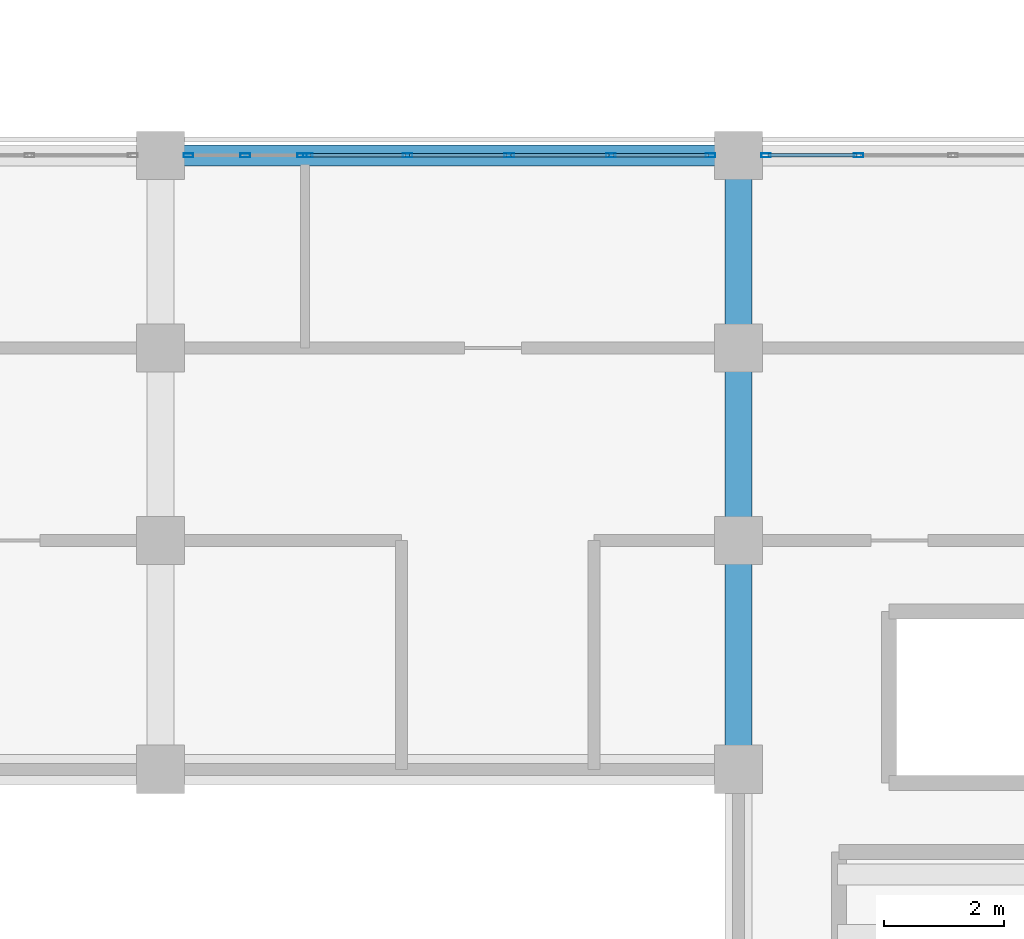
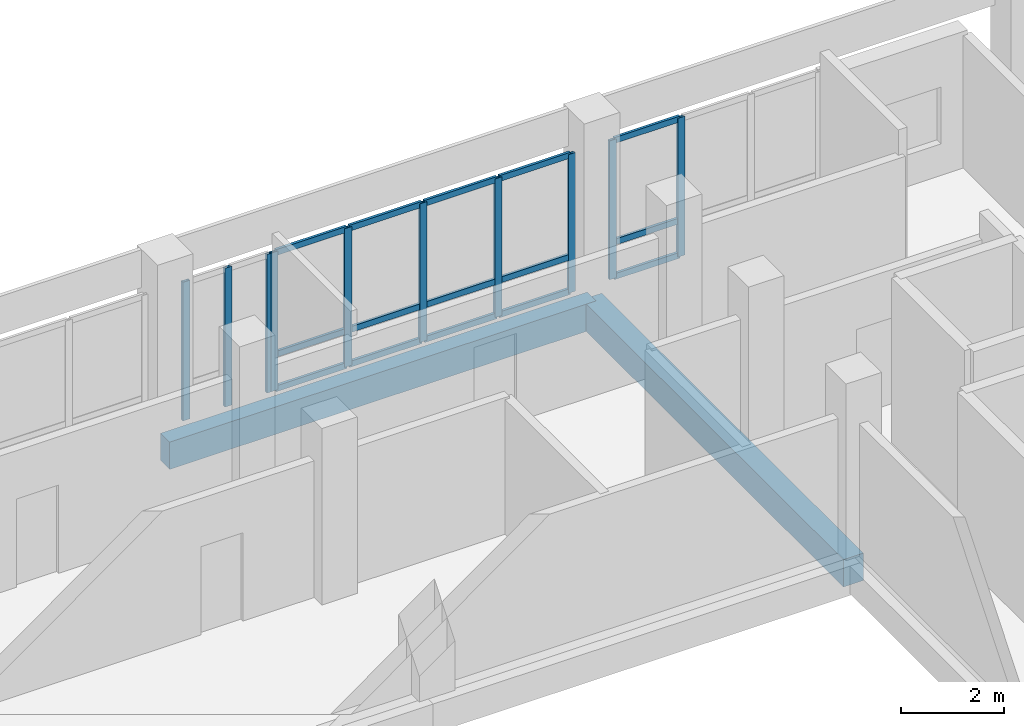
# One storey, part 89 of 170: 25 members, 2 beams, 3 elements without a shape of their own.
"""IFC4 building model written with IfcOpenShell, lengths in metres."""

from ifc_helpers import new_model, si_unit, direction, frame, origin, origin_2d, place, context, subcontext, project, spatial, rectangle, hollow_rectangle, extrude, material, material_profile, profile_set, type_object, element, aggregate, save


model = new_model("IFC4")

# Units and contexts
model_context = context("Model", 3, precision=1e-05, world=origin(), true_north=direction((0.0, 1.0)))
body_context = subcontext(model_context, "Body", "Model", "MODEL_VIEW")
ifc_project = project(units=[si_unit("LENGTHUNIT", "METRE"), si_unit("AREAUNIT", "SQUARE_METRE"), si_unit("VOLUMEUNIT", "CUBIC_METRE"), si_unit("PLANEANGLEUNIT", "RADIAN"), si_unit("MASSUNIT", "GRAM", prefix="KILO")], contexts=[model_context])

# Site, building, storey
site_placement = place(None, origin())
site = spatial("IfcSite", under=ifc_project, at=site_placement, CompositionType="ELEMENT")
building_placement = place(site_placement, origin())
building = spatial("IfcBuilding", under=site, at=building_placement, Name="Vondelvale Polytechnic", CompositionType="ELEMENT")
storey_placement = place(building_placement, frame((0.0, 0.0, 5.39990234375)))
storey = spatial("IfcBuildingStorey", under=building, at=storey_placement, Name="L01", CompositionType="ELEMENT", Elevation=5.39990234375)

# Beam
ifc_material_1 = material(Name="Concrete N40 (f'c = 40 MPa)", Category="concrete")
ifc_material_profile_1 = material_profile(ifc_material_1, rectangle(XDim=0.449951171875, YDim=0.64990234375, at=origin_2d()), Name="RC-BM-450x650")
ifc_profile_set_1 = profile_set([ifc_material_profile_1], Name="Concrete N40 (f'c = 40 MPa)")
beam_type_1 = type_object("IfcBeamType", Name="BM-RC450x650", PredefinedType="BEAM", material=ifc_profile_set_1)
beam_1_placement = place(storey_placement, frame((153.60009765625, 20.39990234375, -0.60498046875), z_axis=(0.0, 1.0, 0.0), x_axis=(-1.0, 0.0, 0.0)))
element("IfcBeam", 1, at=beam_1_placement, inside=storey, type_object=beam_type_1, Name="L01 B B-04", PredefinedType="BEAM", context=body_context, shape_type="SweptSolid", body=[
    extrude(rectangle(XDim=0.449951171875, YDim=0.64990234375, at=origin_2d()), origin(), (0.0, 0.0, 1.0), 10.2001953125),
])

# Curtain wall, members
ifc_material_2 = material(Name="Anodised extruded aluminium 6063-T6", Category="aluminium")
curtain_wall_type = type_object("IfcCurtainWallType", Name="CW-STUDIO-NORTH", PredefinedType="NOTDEFINED", material=ifc_material_2)
curtain_wall_1_placement = place(storey_placement, origin())
curtain_wall_1 = element("IfcCurtainWall", 2, at=curtain_wall_1_placement, inside=storey, type_object=curtain_wall_type, Name="L01 architectural curtain wall CW-01-059", PredefinedType="NOTDEFINED")
ifc_material_profile_2 = material_profile(ifc_material_2, hollow_rectangle(XDim=0.06494140625, YDim=0.159912109375, WallThickness=0.0048828125, at=origin_2d()), Name="CW-MUL-160x65")
ifc_profile_set_2 = profile_set([ifc_material_profile_2], Name="Anodised extruded aluminium 6063-T6")
member_type_1 = type_object("IfcMemberType", Name="CW-MUL-65x160", PredefinedType="MULLION", material=ifc_profile_set_2)
member_1_placement = place(storey_placement, frame((144.46240234375, 30.60009765625, 0.0), z_axis=(0.0, 0.0, 1.0), x_axis=(0.0, 1.0, 0.0)))
member_1 = element("IfcMember", 3, at=member_1_placement, type_object=member_type_1, Name="CW-01-059 mullion 1", PredefinedType="MULLION", context=body_context, shape_type="SweptSolid", body=[
    extrude(hollow_rectangle(XDim=0.06494140625, YDim=0.159912109375, WallThickness=0.0048828125, at=origin_2d()), origin(), (0.0, 0.0, 1.0), 3.300048828125),
])
member_2_placement = place(storey_placement, frame((145.407470703125, 30.60009765625, 0.0), z_axis=(0.0, 0.0, 1.0), x_axis=(0.0, 1.0, 0.0)))
member_2 = element("IfcMember", 4, at=member_2_placement, type_object=member_type_1, Name="CW-01-059 mullion 2", PredefinedType="MULLION", context=body_context, shape_type="SweptSolid", body=[
    extrude(hollow_rectangle(XDim=0.06494140625, YDim=0.159912109375, WallThickness=0.0048828125, at=origin_2d()), origin(), (0.0, 0.0, 1.0), 3.300048828125),
])
member_3_placement = place(storey_placement, frame((146.3525390625, 30.60009765625, 0.0), z_axis=(0.0, 0.0, 1.0), x_axis=(0.0, 1.0, 0.0)))
member_3 = element("IfcMember", 5, at=member_3_placement, type_object=member_type_1, Name="CW-01-059 mullion 3", PredefinedType="MULLION", context=body_context, shape_type="SweptSolid", body=[
    extrude(hollow_rectangle(XDim=0.06494140625, YDim=0.159912109375, WallThickness=0.0048828125, at=origin_2d()), origin(), (0.0, 0.0, 1.0), 3.300048828125),
])
aggregate(curtain_wall_1, [member_1, member_2, member_3])

curtain_wall_2_placement = place(storey_placement, origin())
curtain_wall_2 = element("IfcCurtainWall", 6, at=curtain_wall_2_placement, inside=storey, type_object=curtain_wall_type, Name="L01 architectural curtain wall CW-01-060", PredefinedType="NOTDEFINED")
member_4_placement = place(storey_placement, frame((146.447509765625, 30.60009765625, 0.0), z_axis=(0.0, 0.0, 1.0), x_axis=(0.0, 1.0, 0.0)))
member_4 = element("IfcMember", 7, at=member_4_placement, type_object=member_type_1, Name="CW-01-060 mullion 1", PredefinedType="MULLION", context=body_context, shape_type="SweptSolid", body=[
    extrude(hollow_rectangle(XDim=0.06494140625, YDim=0.159912109375, WallThickness=0.0048828125, at=origin_2d()), origin(), (0.0, 0.0, 1.0), 3.300048828125),
])
member_5_placement = place(storey_placement, frame((148.103759765625, 30.60009765625, 0.0), z_axis=(0.0, 0.0, 1.0), x_axis=(0.0, 1.0, 0.0)))
member_5 = element("IfcMember", 8, at=member_5_placement, type_object=member_type_1, Name="CW-01-060 mullion 2", PredefinedType="MULLION", context=body_context, shape_type="SweptSolid", body=[
    extrude(hollow_rectangle(XDim=0.06494140625, YDim=0.159912109375, WallThickness=0.0048828125, at=origin_2d()), origin(), (0.0, 0.0, 1.0), 3.300048828125),
])
member_6_placement = place(storey_placement, frame((149.79248046875, 30.60009765625, 0.0), z_axis=(0.0, 0.0, 1.0), x_axis=(0.0, 1.0, 0.0)))
member_6 = element("IfcMember", 9, at=member_6_placement, type_object=member_type_1, Name="CW-01-060 mullion 3", PredefinedType="MULLION", context=body_context, shape_type="SweptSolid", body=[
    extrude(hollow_rectangle(XDim=0.06494140625, YDim=0.159912109375, WallThickness=0.0048828125, at=origin_2d()), origin(), (0.0, 0.0, 1.0), 3.300048828125),
])
member_7_placement = place(storey_placement, frame((151.481201171875, 30.60009765625, 0.0), z_axis=(0.0, 0.0, 1.0), x_axis=(0.0, 1.0, 0.0)))
member_7 = element("IfcMember", 10, at=member_7_placement, type_object=member_type_1, Name="CW-01-060 mullion 4", PredefinedType="MULLION", context=body_context, shape_type="SweptSolid", body=[
    extrude(hollow_rectangle(XDim=0.06494140625, YDim=0.159912109375, WallThickness=0.0048828125, at=origin_2d()), origin(), (0.0, 0.0, 1.0), 3.300048828125),
])
member_8_placement = place(storey_placement, frame((153.137451171875, 30.60009765625, 0.0), z_axis=(0.0, 0.0, 1.0), x_axis=(0.0, 1.0, 0.0)))
member_8 = element("IfcMember", 11, at=member_8_placement, type_object=member_type_1, Name="CW-01-060 mullion 5", PredefinedType="MULLION", context=body_context, shape_type="SweptSolid", body=[
    extrude(hollow_rectangle(XDim=0.06494140625, YDim=0.159912109375, WallThickness=0.0048828125, at=origin_2d()), origin(), (0.0, 0.0, 1.0), 3.300048828125),
])

curtain_wall_3_placement = place(storey_placement, origin())
curtain_wall_3 = element("IfcCurtainWall", 12, at=curtain_wall_3_placement, inside=storey, type_object=curtain_wall_type, Name="L01 architectural curtain wall CW-01-061", PredefinedType="NOTDEFINED")
member_9_placement = place(storey_placement, frame((154.0625, 30.60009765625, 0.0), z_axis=(0.0, 0.0, 1.0), x_axis=(0.0, 1.0, 0.0)))
member_9 = element("IfcMember", 13, at=member_9_placement, type_object=member_type_1, Name="CW-01-061 mullion 1", PredefinedType="MULLION", context=body_context, shape_type="SweptSolid", body=[
    extrude(hollow_rectangle(XDim=0.06494140625, YDim=0.159912109375, WallThickness=0.0048828125, at=origin_2d()), origin(), (0.0, 0.0, 1.0), 3.300048828125),
])
member_10_placement = place(storey_placement, frame((155.598388671875, 30.60009765625, 0.0), z_axis=(0.0, 0.0, 1.0), x_axis=(0.0, 1.0, 0.0)))
member_10 = element("IfcMember", 14, at=member_10_placement, type_object=member_type_1, Name="CW-01-061 mullion 2", PredefinedType="MULLION", context=body_context, shape_type="SweptSolid", body=[
    extrude(hollow_rectangle(XDim=0.06494140625, YDim=0.159912109375, WallThickness=0.0048828125, at=origin_2d()), origin(), (0.0, 0.0, 1.0), 3.300048828125),
])

# Member
ifc_material_profile_3 = material_profile(ifc_material_2, hollow_rectangle(XDim=0.06005859375, YDim=0.139892578125, WallThickness=0.00341796875, at=origin_2d()), Name="CW-TRN-140x60")
ifc_profile_set_3 = profile_set([ifc_material_profile_3], Name="Anodised extruded aluminium 6063-T6")
member_type_2 = type_object("IfcMemberType", Name="CW-TRN-60x140", PredefinedType="USERDEFINED", material=ifc_profile_set_3)
member_11_placement = place(storey_placement, frame((146.47998046875, 30.60009765625, 0.030029296875), z_axis=(1.0, 0.0, 0.0), x_axis=(0.0, 1.0, 0.0)))
member_11 = element("IfcMember", 15, at=member_11_placement, type_object=member_type_2, Name="CW-01-060 transom 1.1", ObjectType="TRANSOM", PredefinedType="USERDEFINED", context=body_context, shape_type="SweptSolid", body=[
    extrude(hollow_rectangle(XDim=0.06005859375, YDim=0.139892578125, WallThickness=0.00341796875, at=origin_2d()), origin(), (0.0, 0.0, 1.0), 1.59130859375),
])

member_12_placement = place(storey_placement, frame((146.47998046875, 30.60009765625, 0.85009765625), z_axis=(1.0, 0.0, 0.0), x_axis=(0.0, 1.0, 0.0)))
member_12 = element("IfcMember", 16, at=member_12_placement, type_object=member_type_2, Name="CW-01-060 transom 1.2", ObjectType="TRANSOM", PredefinedType="USERDEFINED", context=body_context, shape_type="SweptSolid", body=[
    extrude(hollow_rectangle(XDim=0.06005859375, YDim=0.139892578125, WallThickness=0.00341796875, at=origin_2d()), origin(), (0.0, 0.0, 1.0), 1.59130859375),
])

member_13_placement = place(storey_placement, frame((146.47998046875, 30.60009765625, 3.27001953125), z_axis=(1.0, 0.0, 0.0), x_axis=(0.0, 1.0, 0.0)))
member_13 = element("IfcMember", 17, at=member_13_placement, type_object=member_type_2, Name="CW-01-060 transom 1.3", ObjectType="TRANSOM", PredefinedType="USERDEFINED", context=body_context, shape_type="SweptSolid", body=[
    extrude(hollow_rectangle(XDim=0.06005859375, YDim=0.139892578125, WallThickness=0.00341796875, at=origin_2d()), origin(), (0.0, 0.0, 1.0), 1.59130859375),
])

member_14_placement = place(storey_placement, frame((148.13623046875, 30.60009765625, 0.030029296875), z_axis=(1.0, 0.0, 0.0), x_axis=(0.0, 1.0, 0.0)))
member_14 = element("IfcMember", 18, at=member_14_placement, type_object=member_type_2, Name="CW-01-060 transom 2.1", ObjectType="TRANSOM", PredefinedType="USERDEFINED", context=body_context, shape_type="SweptSolid", body=[
    extrude(hollow_rectangle(XDim=0.06005859375, YDim=0.139892578125, WallThickness=0.00341796875, at=origin_2d()), origin(), (0.0, 0.0, 1.0), 1.623779296875),
])

member_15_placement = place(storey_placement, frame((148.13623046875, 30.60009765625, 0.85009765625), z_axis=(1.0, 0.0, 0.0), x_axis=(0.0, 1.0, 0.0)))
member_15 = element("IfcMember", 19, at=member_15_placement, type_object=member_type_2, Name="CW-01-060 transom 2.2", ObjectType="TRANSOM", PredefinedType="USERDEFINED", context=body_context, shape_type="SweptSolid", body=[
    extrude(hollow_rectangle(XDim=0.06005859375, YDim=0.139892578125, WallThickness=0.00341796875, at=origin_2d()), origin(), (0.0, 0.0, 1.0), 1.623779296875),
])

member_16_placement = place(storey_placement, frame((148.13623046875, 30.60009765625, 3.27001953125), z_axis=(1.0, 0.0, 0.0), x_axis=(0.0, 1.0, 0.0)))
member_16 = element("IfcMember", 20, at=member_16_placement, type_object=member_type_2, Name="CW-01-060 transom 2.3", ObjectType="TRANSOM", PredefinedType="USERDEFINED", context=body_context, shape_type="SweptSolid", body=[
    extrude(hollow_rectangle(XDim=0.06005859375, YDim=0.139892578125, WallThickness=0.00341796875, at=origin_2d()), origin(), (0.0, 0.0, 1.0), 1.623779296875),
])

member_17_placement = place(storey_placement, frame((149.824951171875, 30.60009765625, 0.030029296875), z_axis=(1.0, 0.0, 0.0), x_axis=(0.0, 1.0, 0.0)))
member_17 = element("IfcMember", 21, at=member_17_placement, type_object=member_type_2, Name="CW-01-060 transom 3.1", ObjectType="TRANSOM", PredefinedType="USERDEFINED", context=body_context, shape_type="SweptSolid", body=[
    extrude(hollow_rectangle(XDim=0.06005859375, YDim=0.139892578125, WallThickness=0.00341796875, at=origin_2d()), origin(), (0.0, 0.0, 1.0), 1.623779296875),
])

member_18_placement = place(storey_placement, frame((149.824951171875, 30.60009765625, 0.85009765625), z_axis=(1.0, 0.0, 0.0), x_axis=(0.0, 1.0, 0.0)))
member_18 = element("IfcMember", 22, at=member_18_placement, type_object=member_type_2, Name="CW-01-060 transom 3.2", ObjectType="TRANSOM", PredefinedType="USERDEFINED", context=body_context, shape_type="SweptSolid", body=[
    extrude(hollow_rectangle(XDim=0.06005859375, YDim=0.139892578125, WallThickness=0.00341796875, at=origin_2d()), origin(), (0.0, 0.0, 1.0), 1.623779296875),
])

member_19_placement = place(storey_placement, frame((149.824951171875, 30.60009765625, 3.27001953125), z_axis=(1.0, 0.0, 0.0), x_axis=(0.0, 1.0, 0.0)))
member_19 = element("IfcMember", 23, at=member_19_placement, type_object=member_type_2, Name="CW-01-060 transom 3.3", ObjectType="TRANSOM", PredefinedType="USERDEFINED", context=body_context, shape_type="SweptSolid", body=[
    extrude(hollow_rectangle(XDim=0.06005859375, YDim=0.139892578125, WallThickness=0.00341796875, at=origin_2d()), origin(), (0.0, 0.0, 1.0), 1.623779296875),
])

member_20_placement = place(storey_placement, frame((151.513671875, 30.60009765625, 0.030029296875), z_axis=(1.0, 0.0, 0.0), x_axis=(0.0, 1.0, 0.0)))
member_20 = element("IfcMember", 24, at=member_20_placement, type_object=member_type_2, Name="CW-01-060 transom 4.1", ObjectType="TRANSOM", PredefinedType="USERDEFINED", context=body_context, shape_type="SweptSolid", body=[
    extrude(hollow_rectangle(XDim=0.06005859375, YDim=0.139892578125, WallThickness=0.00341796875, at=origin_2d()), origin(), (0.0, 0.0, 1.0), 1.59130859375),
])

member_21_placement = place(storey_placement, frame((151.513671875, 30.60009765625, 0.85009765625), z_axis=(1.0, 0.0, 0.0), x_axis=(0.0, 1.0, 0.0)))
member_21 = element("IfcMember", 25, at=member_21_placement, type_object=member_type_2, Name="CW-01-060 transom 4.2", ObjectType="TRANSOM", PredefinedType="USERDEFINED", context=body_context, shape_type="SweptSolid", body=[
    extrude(hollow_rectangle(XDim=0.06005859375, YDim=0.139892578125, WallThickness=0.00341796875, at=origin_2d()), origin(), (0.0, 0.0, 1.0), 1.59130859375),
])

member_22_placement = place(storey_placement, frame((151.513671875, 30.60009765625, 3.27001953125), z_axis=(1.0, 0.0, 0.0), x_axis=(0.0, 1.0, 0.0)))
member_22 = element("IfcMember", 26, at=member_22_placement, type_object=member_type_2, Name="CW-01-060 transom 4.3", ObjectType="TRANSOM", PredefinedType="USERDEFINED", context=body_context, shape_type="SweptSolid", body=[
    extrude(hollow_rectangle(XDim=0.06005859375, YDim=0.139892578125, WallThickness=0.00341796875, at=origin_2d()), origin(), (0.0, 0.0, 1.0), 1.59130859375),
])

aggregate(curtain_wall_2, [member_4, member_5, member_6, member_7, member_8, member_11, member_12, member_13, member_14, member_15, member_16, member_17, member_18, member_19, member_20, member_21, member_22])

member_23_placement = place(storey_placement, frame((154.094970703125, 30.60009765625, 0.030029296875), z_axis=(1.0, 0.0, 0.0), x_axis=(0.0, 1.0, 0.0)))
member_23 = element("IfcMember", 27, at=member_23_placement, type_object=member_type_2, Name="CW-01-061 transom 1.1", ObjectType="TRANSOM", PredefinedType="USERDEFINED", context=body_context, shape_type="SweptSolid", body=[
    extrude(hollow_rectangle(XDim=0.06005859375, YDim=0.139892578125, WallThickness=0.00341796875, at=origin_2d()), origin(), (0.0, 0.0, 1.0), 1.470947265625),
])

member_24_placement = place(storey_placement, frame((154.094970703125, 30.60009765625, 0.85009765625), z_axis=(1.0, 0.0, 0.0), x_axis=(0.0, 1.0, 0.0)))
member_24 = element("IfcMember", 28, at=member_24_placement, type_object=member_type_2, Name="CW-01-061 transom 1.2", ObjectType="TRANSOM", PredefinedType="USERDEFINED", context=body_context, shape_type="SweptSolid", body=[
    extrude(hollow_rectangle(XDim=0.06005859375, YDim=0.139892578125, WallThickness=0.00341796875, at=origin_2d()), origin(), (0.0, 0.0, 1.0), 1.470947265625),
])

member_25_placement = place(storey_placement, frame((154.094970703125, 30.60009765625, 3.27001953125), z_axis=(1.0, 0.0, 0.0), x_axis=(0.0, 1.0, 0.0)))
member_25 = element("IfcMember", 29, at=member_25_placement, type_object=member_type_2, Name="CW-01-061 transom 1.3", ObjectType="TRANSOM", PredefinedType="USERDEFINED", context=body_context, shape_type="SweptSolid", body=[
    extrude(hollow_rectangle(XDim=0.06005859375, YDim=0.139892578125, WallThickness=0.00341796875, at=origin_2d()), origin(), (0.0, 0.0, 1.0), 1.470947265625),
])

aggregate(curtain_wall_3, [member_9, member_10, member_23, member_24, member_25])

# Beam
ifc_material_3 = material(Name="Precast concrete N40 (f'c = 40 MPa)", Category="concrete")
ifc_material_profile_4 = material_profile(ifc_material_3, rectangle(XDim=0.35009765625, YDim=0.64990234375, at=origin_2d()), Name="RC-SPN-350x650")
ifc_profile_set_4 = profile_set([ifc_material_profile_4], Name="Precast concrete N40 (f'c = 40 MPa)")
beam_type_2 = type_object("IfcBeamType", Name="SPN-PRE350x650", PredefinedType="SPANDREL", material=ifc_profile_set_4)
beam_2_placement = place(storey_placement, frame((144.0, 30.60009765625, -0.60498046875), z_axis=(1.0, 0.0, 0.0), x_axis=(0.0, 1.0, 0.0)))
element("IfcBeam", 30, at=beam_2_placement, inside=storey, type_object=beam_type_2, Name="L01 B SP-02", PredefinedType="SPANDREL", context=body_context, shape_type="SweptSolid", body=[
    extrude(rectangle(XDim=0.35009765625, YDim=0.64990234375, at=origin_2d()), origin(), (0.0, 0.0, 1.0), 9.60009765625),
])

save(model, "model.ifc")
